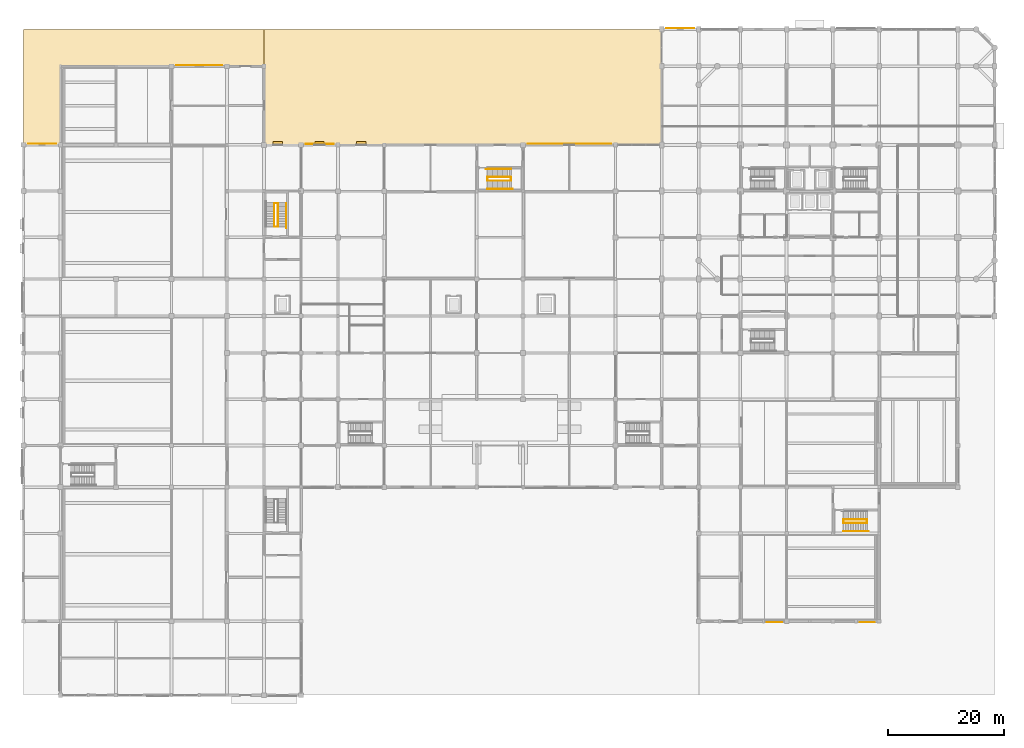
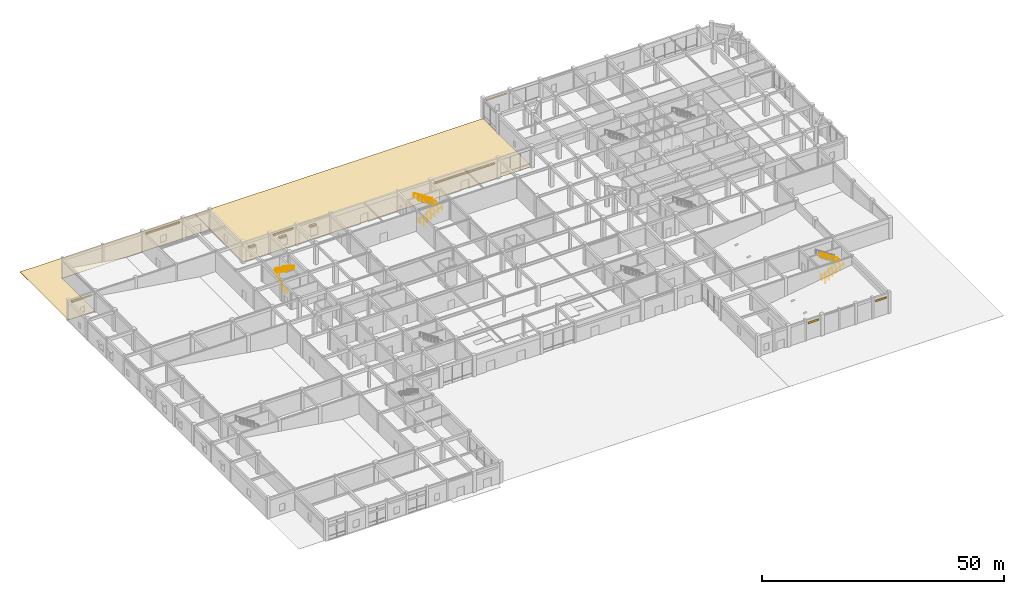
# One storey, part 38 of 40: 10 railings, 9 coverings, 3 shading devices.
"""IFC4 building model written with IfcOpenShell, lengths in metres."""

import ifcopenshell
import ifcopenshell.guid

model = None  # the IFC model being written
_history = None  # IfcOwnerHistory: only IFC2X3 demands one
_inside = {}  # id of a spatial element -> (the spatial element, [elements in it])
_under = {}  # id of a project, library or spatial element -> (it, [spatial elements below it])
_declared = {}  # id of a project -> (the project, [libraries it declares])
_typed = {}  # id of a type object -> (the type object, [elements of that type])
_made_of = {}  # id of a material, layer set ... -> (it, [elements and type objects made of it])


def new_model(schema):
    """Start an empty IFC model of exactly this schema.

    Asked for "IFC4X3", IfcOpenShell would pick the latest addendum, in which some entities
    have other attributes; the version numbers below select the first issue.
    IFC2X3 requires an IfcOwnerHistory on every rooted entity: one is made here for all.
    """
    global model, _history
    if schema == "IFC4X3":
        model = ifcopenshell.file(schema_version=(4, 3, 0, 0))
    else:
        model = ifcopenshell.file(schema=schema)
    _inside.clear()
    _under.clear()
    _declared.clear()
    _typed.clear()
    _made_of.clear()
    _history = None
    if model.schema == "IFC2X3":
        org = make("IfcOrganization", Name="unknown")
        user = make(
            "IfcPersonAndOrganization",
            ThePerson=make("IfcPerson", FamilyName="unknown"),
            TheOrganization=org,
        )
        app = make(
            "IfcApplication",
            ApplicationDeveloper=org,
            Version="unknown",
            ApplicationFullName="unknown",
            ApplicationIdentifier="unknown",
        )
        _history = make(
            "IfcOwnerHistory",
            OwningUser=user,
            OwningApplication=app,
            ChangeAction="ADDED",
            CreationDate=0,
        )
    return model


def make(cls, **values):
    """One entity of the class cls with the attributes given. An attribute that is None is left unset."""
    return model.create_entity(
        cls, **{name: value for name, value in values.items() if value is not None}
    )


def rooted(cls, **values):
    """An entity with a GlobalId (a new one), such as an element, a storey or a relation."""
    return make(cls, GlobalId=ifcopenshell.guid.new(), OwnerHistory=_history, **values)


def si_unit(unit_type, name, prefix=None):
    """IfcSIUnit, for example si_unit("LENGTHUNIT", "METRE", prefix="MILLI")."""
    return make("IfcSIUnit", UnitType=unit_type, Prefix=prefix, Name=name)


def assignment(units):
    """IfcUnitAssignment: the units of a project."""
    return None if units is None else make("IfcUnitAssignment", Units=units)


def point(xyz):
    """IfcCartesianPoint."""
    return None if xyz is None else make("IfcCartesianPoint", Coordinates=xyz)


def direction(xyz):
    """IfcDirection."""
    return None if xyz is None else make("IfcDirection", DirectionRatios=xyz)


def frame(location, z_axis=None, x_axis=None):
    """IfcAxis2Placement3D, a coordinate frame: its origin and axes. An axis left out is left unset."""
    return make(
        "IfcAxis2Placement3D",
        Location=point(location),
        Axis=direction(z_axis),
        RefDirection=direction(x_axis),
    )


def frame_2d(location, x_axis=None):
    """IfcAxis2Placement2D, a coordinate frame in the plane: its origin and x axis."""
    return make(
        "IfcAxis2Placement2D", Location=point(location), RefDirection=direction(x_axis)
    )


def origin():
    """The frame at (0, 0, 0) with its axes left unset."""
    return frame((0.0, 0.0, 0.0))


def origin_2d():
    """The frame at (0, 0) in the plane with its x axis left unset."""
    return frame_2d((0.0, 0.0))


def place(relative_to, where):
    """IfcLocalPlacement: puts the frame where relative to a parent placement (None: the world)."""
    return make(
        "IfcLocalPlacement", PlacementRelTo=relative_to, RelativePlacement=where
    )


def context(
    kind, dimensions, precision=None, world=None, true_north=None, identifier=None
):
    """IfcGeometricRepresentationContext, for example the 3D "Model" context."""
    return make(
        "IfcGeometricRepresentationContext",
        ContextIdentifier=identifier,
        ContextType=kind,
        CoordinateSpaceDimension=dimensions,
        Precision=precision,
        WorldCoordinateSystem=world,
        TrueNorth=true_north,
    )


def subcontext(parent, identifier, kind, view, scale=None):
    """IfcGeometricRepresentationSubContext, for example "Body" below "Model"."""
    return make(
        "IfcGeometricRepresentationSubContext",
        ContextIdentifier=identifier,
        ContextType=kind,
        ParentContext=parent,
        TargetScale=scale,
        TargetView=view,
    )


def project(units=None, contexts=None):
    """IfcProject with its units and contexts."""
    return rooted(
        "IfcProject",
        Name="project",
        RepresentationContexts=contexts,
        UnitsInContext=assignment(units),
    )


def spatial(cls, under=None, at=None, **own):
    """A site, building, storey or space (cls), placed at a placement, below another one or the project."""
    s = rooted(cls, ObjectPlacement=at, **own)
    if under is not None:
        _under.setdefault(under.id(), (under, []))[1].append(s)
    return s


def polyline(points):
    """IfcPolyline through the points."""
    return make("IfcPolyline", Points=[point(p) for p in points])


def profile(cls, at=None, kind="AREA", **sizes):
    """A parametric profile (cls). Its sizes go by their IFC names, for example OverallWidth=200.0."""
    return make(cls, ProfileType=kind, Position=at, **sizes)


def rectangle(**sizes):
    """IfcRectangleProfileDef."""
    return profile("IfcRectangleProfileDef", **sizes)


def circle(**sizes):
    """IfcCircleProfileDef."""
    return profile("IfcCircleProfileDef", **sizes)


def outline(outer, holes=None, kind="AREA"):
    """IfcArbitraryClosedProfileDef: a profile drawn as a closed curve; with holes, ...WithVoids."""
    if holes is None:
        return make("IfcArbitraryClosedProfileDef", ProfileType=kind, OuterCurve=outer)
    return make(
        "IfcArbitraryProfileDefWithVoids",
        ProfileType=kind,
        OuterCurve=outer,
        InnerCurves=holes,
    )


def extrude(swept, where, along, depth):
    """IfcExtrudedAreaSolid: the profile swept, set in the frame where, extruded along a direction by depth."""
    return make(
        "IfcExtrudedAreaSolid",
        SweptArea=swept,
        Position=where,
        ExtrudedDirection=direction(along),
        Depth=depth,
    )


def shape(context_of_items, identifier, shape_type, items):
    """IfcShapeRepresentation: the items that make up one representation, for example the "Body"."""
    return make(
        "IfcShapeRepresentation",
        ContextOfItems=context_of_items,
        RepresentationIdentifier=identifier,
        RepresentationType=shape_type,
        Items=items,
    )


def material(Name=None, Category=None):
    """IfcMaterial."""
    return make("IfcMaterial", Name=Name, Category=Category)


def layer(
    of_material, thickness, ventilated=None, Name=None, Category=None, Priority=None
):
    """IfcMaterialLayer: one layer of a wall or slab, of a material (None: an air gap)."""
    return make(
        "IfcMaterialLayer",
        Material=of_material,
        LayerThickness=thickness,
        IsVentilated=ventilated,
        Name=Name,
        Category=Category,
        Priority=Priority,
    )


def layer_set(layers, Name=None):
    """IfcMaterialLayerSet."""
    return make("IfcMaterialLayerSet", MaterialLayers=layers, LayerSetName=Name)


def made_of(thing, what):
    """Note that an element or type object is made of a material, layer set ...; save() writes the relation."""
    if what is not None:
        _made_of.setdefault(what.id(), (what, []))[1].append(thing)
    return thing


def type_object(cls, material=None, **own):
    """A type object (cls), such as IfcWallType, which elements share."""
    return made_of(rooted(cls, **own), material)


def element(
    cls,
    number,
    at=None,
    inside=None,
    cuts=None,
    type_object=None,
    material=None,
    context=None,
    identifier="Body",
    shape_type=None,
    held_by="IfcProductDefinitionShape",
    body=None,
    shapes=None,
    **own,
):
    """One element of the class cls, such as IfcWall. Its Tag is "e" and its number.

    at: its placement. inside: the storey or other place that contains it. cuts: it is an
    opening in that element (IfcRelVoidsElement). A single representation is given by context,
    identifier, shape_type and body (its items); several are given by shapes. held_by: the class
    of the entity that holds the representations. save() writes the other relations.
    """
    e = rooted(cls, Tag="e%d" % number, ObjectPlacement=at, **own)
    if body is not None:
        shapes = [shape(context, identifier, shape_type, body)]
    if shapes is not None:
        e.Representation = make(held_by, Representations=shapes)
    if inside is not None:
        _inside.setdefault(inside.id(), (inside, []))[1].append(e)
    if cuts is not None:
        rooted(
            "IfcRelVoidsElement", RelatingBuildingElement=cuts, RelatedOpeningElement=e
        )
    if type_object is not None:
        _typed.setdefault(type_object.id(), (type_object, []))[1].append(e)
    return made_of(e, material)


def aggregate(whole, parts):
    """IfcRelAggregates: a whole, such as a stair, and the parts it consists of."""
    return rooted("IfcRelAggregates", RelatingObject=whole, RelatedObjects=parts)


def save(model, path):
    """Write the relations noted so far, then the file.

    IfcRelAggregates (storeys below a building ...), IfcRelContainedInSpatialStructure (elements
    in a storey), IfcRelDefinesByType, IfcRelAssociatesMaterial and IfcRelDeclares: one each for
    every whole, place, type object, material and project.
    """
    for whole, parts in _under.values():
        aggregate(whole, parts)
    for where, things in _inside.values():
        rooted(
            "IfcRelContainedInSpatialStructure",
            RelatedElements=things,
            RelatingStructure=where,
        )
    for kind, things in _typed.values():
        rooted("IfcRelDefinesByType", RelatedObjects=things, RelatingType=kind)
    for what, things in _made_of.values():
        rooted("IfcRelAssociatesMaterial", RelatedObjects=things, RelatingMaterial=what)
    for by, libraries in _declared.values():
        rooted("IfcRelDeclares", RelatingContext=by, RelatedDefinitions=libraries)
    model.write(path)


model = new_model("IFC4")

# Units and contexts
model_context = context("Model", 3, precision=1e-05, world=origin(), true_north=direction((0.0, 1.0)))
body_context = subcontext(model_context, "Body", "Model", "MODEL_VIEW")
ifc_project = project(units=[si_unit("LENGTHUNIT", "METRE"), si_unit("AREAUNIT", "SQUARE_METRE"), si_unit("VOLUMEUNIT", "CUBIC_METRE"), si_unit("PLANEANGLEUNIT", "RADIAN"), si_unit("MASSUNIT", "GRAM", prefix="KILO")], contexts=[model_context])

# Site, building, storey
site_placement = place(None, origin())
site = spatial("IfcSite", under=ifc_project, at=site_placement, CompositionType="ELEMENT")
building_placement = place(site_placement, origin())
building = spatial("IfcBuilding", under=site, at=building_placement, Name="Vellmiral Cinema and Media Centre", CompositionType="ELEMENT")
storey_placement = place(building_placement, origin())
storey = spatial("IfcBuildingStorey", under=building, at=storey_placement, Name="L00", CompositionType="ELEMENT", Elevation=0.0)

# Coverings
ifc_material_1 = material(Name="Basel Rhine Sandstone Paving", Category="masonry")
ifc_layer_1 = layer(ifc_material_1, 0.06005859375, Name="Basel Rhine Sandstone Paving")
ifc_layer_set_1 = layer_set([ifc_layer_1], Name="Basel Rhine Sandstone Paving")
covering_type_1 = type_object("IfcCoveringType", Name="COV-PROM-PAVING", PredefinedType="USERDEFINED", material=ifc_layer_set_1)
covering_1_placement = place(storey_placement, frame((0.0, 0.0, -0.06005859375)))
element("IfcCovering", 1, at=covering_1_placement, inside=storey, type_object=covering_type_1, Name="Rhine Promenade and Courtyard Stone Paving NORTH-CLOISTER", ObjectType="PAVING", PredefinedType="USERDEFINED", context=body_context, shape_type="SweptSolid", body=[
    extrude(outline(polyline([(41.60009765625, 95.199951171875), (110.39990234375, 95.199951171875), (110.39990234375, 115.199951171875), (41.60009765625, 115.199951171875), (41.60009765625, 95.199951171875)])), origin(), (0.0, 0.0, 1.0), 0.06005859375),
])
covering_2_placement = place(storey_placement, frame((0.0, 0.0, -0.06005859375)))
element("IfcCovering", 2, at=covering_2_placement, inside=storey, type_object=covering_type_1, Name="Rhine Promenade and Courtyard Stone Paving NW-GARDEN", ObjectType="PAVING", PredefinedType="USERDEFINED", context=body_context, shape_type="SweptSolid", body=[
    extrude(outline(polyline([(0.0, 95.199951171875), (6.39990234375, 95.199951171875), (6.39990234375, 108.800048828125), (41.60009765625, 108.800048828125), (41.60009765625, 115.199951171875), (0.0, 115.199951171875), (0.0, 95.199951171875)])), origin(), (0.0, 0.0, 1.0), 0.06005859375),
])
ifc_material_2 = material(Name="Polychrome Trencadis Ceramic Mosaic")
ifc_layer_2 = layer(ifc_material_2, 0.034912109375, Name="Polychrome Trencadis Ceramic Mosaic")
ifc_layer_set_2 = layer_set([ifc_layer_2], Name="Polychrome Trencadis Ceramic Mosaic")
covering_type_2 = type_object("IfcCoveringType", Name="COV-TRENCADIS-CLAD", PredefinedType="CLADDING", material=ifc_layer_set_2)
covering_3_placement = place(storey_placement, frame((0.0, 0.0, 4.034912109375)))
element("IfcCovering", 3, at=covering_3_placement, inside=storey, type_object=covering_type_2, Name="Trencadis Spandrel Mosaic L00-024", PredefinedType="CLADDING", context=body_context, shape_type="SweptSolid", body=[
    extrude(outline(polyline([(128.60009765625, 12.6220703125), (131.199951171875, 12.6220703125), (131.199951171875, 12.656982421875), (128.60009765625, 12.656982421875), (128.60009765625, 12.6220703125)])), origin(), (0.0, 0.0, 1.0), 0.47998046875),
])
covering_4_placement = place(storey_placement, frame((0.0, 0.0, 3.955078125)))
element("IfcCovering", 4, at=covering_4_placement, inside=storey, type_object=covering_type_2, Name="Trencadis Spandrel Mosaic L00-028", PredefinedType="CLADDING", context=body_context, shape_type="SweptSolid", body=[
    extrude(outline(polyline([(144.64990234375, 12.592041015625), (147.27490234375, 12.592041015625), (147.27490234375, 12.626953125), (144.64990234375, 12.626953125), (144.64990234375, 12.592041015625)])), origin(), (0.0, 0.0, 1.0), 0.47998046875),
])
covering_5_placement = place(storey_placement, frame((0.0, 0.0, 3.9599609375)))
element("IfcCovering", 5, at=covering_5_placement, inside=storey, type_object=covering_type_2, Name="Trencadis Spandrel Mosaic L00-052", PredefinedType="CLADDING", context=body_context, shape_type="SweptSolid", body=[
    extrude(outline(polyline([(116.02490234375, 115.407958984375), (111.175048828125, 115.407958984375), (111.175048828125, 115.373046875), (116.02490234375, 115.373046875), (116.02490234375, 115.407958984375)])), origin(), (0.0, 0.0, 1.0), 0.47998046875),
])
covering_6_placement = place(storey_placement, frame((0.0, 0.0, 3.544921875)))
element("IfcCovering", 6, at=covering_6_placement, inside=storey, type_object=covering_type_2, Name="Trencadis Spandrel Mosaic L00-056", PredefinedType="CLADDING", context=body_context, shape_type="SweptSolid", body=[
    extrude(outline(polyline([(101.625, 95.407958984375), (87.22509765625, 95.407958984375), (87.22509765625, 95.373046875), (101.625, 95.373046875), (101.625, 95.407958984375)])), origin(), (0.0, 0.0, 1.0), 0.47998046875),
])
covering_7_placement = place(storey_placement, frame((0.0, 0.0, 3.9599609375)))
element("IfcCovering", 7, at=covering_7_placement, inside=storey, type_object=covering_type_2, Name="Trencadis Spandrel Mosaic L00-060", PredefinedType="CLADDING", context=body_context, shape_type="SweptSolid", body=[
    extrude(outline(polyline([(53.625, 95.3779296875), (48.800048828125, 95.3779296875), (48.800048828125, 95.343017578125), (53.625, 95.343017578125), (53.625, 95.3779296875)])), origin(), (0.0, 0.0, 1.0), 0.47998046875),
])
covering_8_placement = place(storey_placement, frame((0.0, 0.0, 3.9599609375)))
element("IfcCovering", 8, at=covering_8_placement, inside=storey, type_object=covering_type_2, Name="Trencadis Spandrel Mosaic L00-064", PredefinedType="CLADDING", context=body_context, shape_type="SweptSolid", body=[
    extrude(outline(polyline([(34.39990234375, 109.008056640625), (26.425048828125, 109.008056640625), (26.425048828125, 108.972900390625), (34.39990234375, 108.972900390625), (34.39990234375, 109.008056640625)])), origin(), (0.0, 0.0, 1.0), 0.47998046875),
])
covering_9_placement = place(storey_placement, frame((0.0, 0.0, 3.9599609375)))
element("IfcCovering", 9, at=covering_9_placement, inside=storey, type_object=covering_type_2, Name="Trencadis Spandrel Mosaic L00-068", PredefinedType="CLADDING", context=body_context, shape_type="SweptSolid", body=[
    extrude(outline(polyline([(5.625, 95.407958984375), (0.800048828125, 95.407958984375), (0.800048828125, 95.373046875), (5.625, 95.373046875), (5.625, 95.407958984375)])), origin(), (0.0, 0.0, 1.0), 0.47998046875),
])

# Railings
ifc_material_3 = material(Name="Brushed Stainless Steel Handrail", Category="steel")
railing_type_1 = type_object("IfcRailingType", Name="RL-HANDRAIL-900", PredefinedType="HANDRAIL", material=ifc_material_3)
railing_1_placement = place(storey_placement, frame((45.43994140625, 85.110107421875, 2.8798828125)))
element("IfcRailing", 10, at=railing_1_placement, inside=storey, type_object=railing_type_1, Name="Stair Wall Handrail ST-P2 L00-2", PredefinedType="HANDRAIL", context=body_context, shape_type="SweptSolid", body=[
    extrude(circle(Radius=0.02392578125, at=origin_2d()), frame((0.0, 0.0, 0.8759765625), z_axis=(0.0, -0.849628378081, 0.527381853271), x_axis=(1.0, 0.0, 0.0)), (0.0, 0.0, 1.0), 5.1201171875),
    extrude(circle(Radius=0.02099609375, at=origin_2d()), origin(), (0.0, 0.0, 1.0), 0.851806640625),
    extrude(circle(Radius=0.02099609375, at=origin_2d()), frame((0.0, -0.8701171875, 0.5400390625)), (0.0, 0.0, 1.0), 0.851806640625),
    extrude(circle(Radius=0.02099609375, at=origin_2d()), frame((0.0, -1.739990234375, 1.080078125)), (0.0, 0.0, 1.0), 0.851806640625),
    extrude(circle(Radius=0.02099609375, at=origin_2d()), frame((0.0, -2.610107421875, 1.6201171875)), (0.0, 0.0, 1.0), 0.851806640625),
    extrude(circle(Radius=0.02099609375, at=origin_2d()), frame((0.0, -3.47998046875, 2.16015625)), (0.0, 0.0, 1.0), 0.851806640625),
    extrude(circle(Radius=0.02099609375, at=origin_2d()), frame((0.0, -4.35009765625, 2.7001953125)), (0.0, 0.0, 1.0), 0.851806640625),
])
railing_2_placement = place(storey_placement, frame((80.25, 87.56005859375, 0.179931640625)))
element("IfcRailing", 11, at=railing_2_placement, inside=storey, type_object=railing_type_1, Name="Stair Wall Handrail ST-P5 L00-1", PredefinedType="HANDRAIL", context=body_context, shape_type="SweptSolid", body=[
    extrude(circle(Radius=0.02392578125, at=origin_2d()), frame((0.0, 0.0, 0.8759765625), z_axis=(0.849649743971, 0.0, 0.527347430608), x_axis=(0.0, 1.0, 0.0)), (0.0, 0.0, 1.0), 5.119873046875),
    extrude(circle(Radius=0.02099609375, at=origin_2d()), origin(), (0.0, 0.0, 1.0), 0.851806640625),
    extrude(circle(Radius=0.02099609375, at=origin_2d()), frame((0.8701171875, 0.0, 0.5400390625)), (0.0, 0.0, 1.0), 0.851806640625),
    extrude(circle(Radius=0.02099609375, at=origin_2d()), frame((1.739990234375, 0.0, 1.080078125)), (0.0, 0.0, 1.0), 0.851806640625),
    extrude(circle(Radius=0.02099609375, at=origin_2d()), frame((2.610107421875, 0.0, 1.619873046875)), (0.0, 0.0, 1.0), 0.851806640625),
    extrude(circle(Radius=0.02099609375, at=origin_2d()), frame((3.47998046875, 0.0, 2.159912109375)), (0.0, 0.0, 1.0), 0.851806640625),
    extrude(circle(Radius=0.02099609375, at=origin_2d()), frame((4.35009765625, 0.0, 2.699951171875)), (0.0, 0.0, 1.0), 0.851806640625),
])
railing_3_placement = place(storey_placement, frame((84.31005859375, 91.0400390625, 2.8798828125)))
element("IfcRailing", 12, at=railing_3_placement, inside=storey, type_object=railing_type_1, Name="Stair Wall Handrail ST-P5 L00-2", PredefinedType="HANDRAIL", context=body_context, shape_type="SweptSolid", body=[
    extrude(circle(Radius=0.02392578125, at=origin_2d()), frame((0.0, 0.0, 0.8759765625), z_axis=(-0.849628378081, 0.0, 0.527381853271), x_axis=(0.0, -1.0, 0.0)), (0.0, 0.0, 1.0), 5.1201171875),
    extrude(circle(Radius=0.02099609375, at=origin_2d()), origin(), (0.0, 0.0, 1.0), 0.851806640625),
    extrude(circle(Radius=0.02099609375, at=origin_2d()), frame((-0.8701171875, 0.0, 0.5400390625)), (0.0, 0.0, 1.0), 0.851806640625),
    extrude(circle(Radius=0.02099609375, at=origin_2d()), frame((-1.739990234375, 0.0, 1.080078125)), (0.0, 0.0, 1.0), 0.851806640625),
    extrude(circle(Radius=0.02099609375, at=origin_2d()), frame((-2.610107421875, 0.0, 1.6201171875)), (0.0, 0.0, 1.0), 0.851806640625),
    extrude(circle(Radius=0.02099609375, at=origin_2d()), frame((-3.47998046875, 0.0, 2.16015625)), (0.0, 0.0, 1.0), 0.851806640625),
    extrude(circle(Radius=0.02099609375, at=origin_2d()), frame((-4.35009765625, 0.0, 2.7001953125)), (0.0, 0.0, 1.0), 0.851806640625),
])
railing_4_placement = place(storey_placement, frame((141.85009765625, 28.360107421875, 0.179931640625)))
element("IfcRailing", 13, at=railing_4_placement, inside=storey, type_object=railing_type_1, Name="Stair Wall Handrail ST-P8 L00-1", PredefinedType="HANDRAIL", context=body_context, shape_type="SweptSolid", body=[
    extrude(circle(Radius=0.02392578125, at=origin_2d()), frame((0.0, 0.0, 0.8759765625), z_axis=(0.849636482215, 0.0, 0.527368797038), x_axis=(0.0, 1.0, 0.0)), (0.0, 0.0, 1.0), 5.11962890625),
    extrude(circle(Radius=0.02099609375, at=origin_2d()), origin(), (0.0, 0.0, 1.0), 0.851806640625),
    extrude(circle(Radius=0.02099609375, at=origin_2d()), frame((0.869873046875, 0.0, 0.5400390625)), (0.0, 0.0, 1.0), 0.851806640625),
    extrude(circle(Radius=0.02099609375, at=origin_2d()), frame((1.739990234375, 0.0, 1.080078125)), (0.0, 0.0, 1.0), 0.851806640625),
    extrude(circle(Radius=0.02099609375, at=origin_2d()), frame((2.60986328125, 0.0, 1.619873046875)), (0.0, 0.0, 1.0), 0.851806640625),
    extrude(circle(Radius=0.02099609375, at=origin_2d()), frame((3.47998046875, 0.0, 2.159912109375)), (0.0, 0.0, 1.0), 0.851806640625),
    extrude(circle(Radius=0.02099609375, at=origin_2d()), frame((4.349853515625, 0.0, 2.699951171875)), (0.0, 0.0, 1.0), 0.851806640625),
])
ifc_material_4 = material(Name="Painted Steel Stair Guardrail", Category="steel")
railing_type_2 = type_object("IfcRailingType", Name="RL-STAIR-GUARD-1120", PredefinedType="GUARDRAIL", material=ifc_material_4)
railing_5_placement = place(storey_placement, frame((43.97998046875, 81.050048828125, 0.0)))
element("IfcRailing", 14, at=railing_5_placement, inside=storey, type_object=railing_type_2, Name="Stair Well Guard ST-P2 L00-A", PredefinedType="GUARDRAIL", context=body_context, shape_type="SweptSolid", body=[
    extrude(circle(Radius=0.02392578125, at=origin_2d()), frame((0.0, 0.0, 1.09619140625), z_axis=(-1.0, 0.0, 0.0), x_axis=(0.0, -1.0, 0.0)), (0.0, 0.0, 1.0), 0.60009765625),
    extrude(circle(Radius=0.02392578125, at=origin_2d()), frame((-0.60009765625, 0.0, 1.09619140625), z_axis=(0.0, 0.8326891162, 0.553740765848), x_axis=(-1.0, 0.0, 0.0)), (0.0, 0.0, 1.0), 4.875732421875),
    extrude(circle(Radius=0.02392578125, at=origin_2d()), frame((-0.60009765625, 4.06005859375, 3.7958984375), z_axis=(1.0, 0.0, 0.0), x_axis=(0.0, 1.0, 0.0)), (0.0, 0.0, 1.0), 0.64013671875),
    extrude(circle(Radius=0.02099609375, at=origin_2d()), origin(), (0.0, 0.0, 1.0), 1.072021484375),
    extrude(circle(Radius=0.02099609375, at=origin_2d()), frame((-0.60009765625, 0.0, 0.0)), (0.0, 0.0, 1.0), 1.072021484375),
    extrude(circle(Radius=0.02099609375, at=origin_2d()), frame((-0.60009765625, 0.81201171875, 0.5400390625)), (0.0, 0.0, 1.0), 1.072021484375),
    extrude(circle(Radius=0.02099609375, at=origin_2d()), frame((-0.60009765625, 1.6240234375, 1.080078125)), (0.0, 0.0, 1.0), 1.072021484375),
    extrude(circle(Radius=0.02099609375, at=origin_2d()), frame((-0.60009765625, 2.43603515625, 1.619873046875)), (0.0, 0.0, 1.0), 1.072021484375),
    extrude(circle(Radius=0.02099609375, at=origin_2d()), frame((-0.60009765625, 3.248046875, 2.159912109375)), (0.0, 0.0, 1.0), 1.072021484375),
    extrude(circle(Radius=0.02099609375, at=origin_2d()), frame((-0.60009765625, 4.06005859375, 2.699951171875)), (0.0, 0.0, 1.0), 1.072021484375),
    extrude(circle(Radius=0.02099609375, at=origin_2d()), frame((0.0400390625, 4.06005859375, 2.699951171875)), (0.0, 0.0, 1.0), 1.072021484375),
])
railing_6_placement = place(storey_placement, frame((44.02001953125, 85.110107421875, 2.699951171875)))
element("IfcRailing", 15, at=railing_6_placement, inside=storey, type_object=railing_type_2, Name="Stair Well Guard ST-P2 L00-B", PredefinedType="GUARDRAIL", context=body_context, shape_type="SweptSolid", body=[
    extrude(circle(Radius=0.02392578125, at=origin_2d()), frame((0.0, 0.0, 1.09619140625), z_axis=(0.0, -0.8326891162, 0.553740765848), x_axis=(1.0, 0.0, 0.0)), (0.0, 0.0, 1.0), 4.875732421875),
    extrude(circle(Radius=0.02099609375, at=origin_2d()), origin(), (0.0, 0.0, 1.0), 1.072021484375),
    extrude(circle(Radius=0.02099609375, at=origin_2d()), frame((0.0, -0.81201171875, 0.5400390625)), (0.0, 0.0, 1.0), 1.072021484375),
    extrude(circle(Radius=0.02099609375, at=origin_2d()), frame((0.0, -1.6240234375, 1.080078125)), (0.0, 0.0, 1.0), 1.072021484375),
    extrude(circle(Radius=0.02099609375, at=origin_2d()), frame((0.0, -2.43603515625, 1.619873046875)), (0.0, 0.0, 1.0), 1.072021484375),
    extrude(circle(Radius=0.02099609375, at=origin_2d()), frame((0.0, -3.248046875, 2.159912109375)), (0.0, 0.0, 1.0), 1.072021484375),
    extrude(circle(Radius=0.02099609375, at=origin_2d()), frame((0.0, -4.06005859375, 2.699951171875)), (0.0, 0.0, 1.0), 1.072021484375),
])
railing_7_placement = place(storey_placement, frame((80.25, 89.580078125, 0.0)))
element("IfcRailing", 16, at=railing_7_placement, inside=storey, type_object=railing_type_2, Name="Stair Well Guard ST-P5 L00-A", PredefinedType="GUARDRAIL", context=body_context, shape_type="SweptSolid", body=[
    extrude(circle(Radius=0.02392578125, at=origin_2d()), frame((0.0, 0.0, 1.09619140625), z_axis=(0.0, -1.0, 0.0), x_axis=(1.0, 0.0, 0.0)), (0.0, 0.0, 1.0), 0.60009765625),
    extrude(circle(Radius=0.02392578125, at=origin_2d()), frame((0.0, -0.60009765625, 1.09619140625), z_axis=(0.8326891162, 0.0, 0.553740765848), x_axis=(0.0, 1.0, 0.0)), (0.0, 0.0, 1.0), 4.875732421875),
    extrude(circle(Radius=0.02392578125, at=origin_2d()), frame((4.06005859375, -0.60009765625, 3.7958984375), z_axis=(0.0, 1.0, 0.0), x_axis=(-1.0, 0.0, 0.0)), (0.0, 0.0, 1.0), 0.64013671875),
    extrude(circle(Radius=0.02099609375, at=origin_2d()), origin(), (0.0, 0.0, 1.0), 1.072021484375),
    extrude(circle(Radius=0.02099609375, at=origin_2d()), frame((0.0, -0.60009765625, 0.0)), (0.0, 0.0, 1.0), 1.072021484375),
    extrude(circle(Radius=0.02099609375, at=origin_2d()), frame((0.81201171875, -0.60009765625, 0.5400390625)), (0.0, 0.0, 1.0), 1.072021484375),
    extrude(circle(Radius=0.02099609375, at=origin_2d()), frame((1.6240234375, -0.60009765625, 1.080078125)), (0.0, 0.0, 1.0), 1.072021484375),
    extrude(circle(Radius=0.02099609375, at=origin_2d()), frame((2.43603515625, -0.60009765625, 1.619873046875)), (0.0, 0.0, 1.0), 1.072021484375),
    extrude(circle(Radius=0.02099609375, at=origin_2d()), frame((3.248046875, -0.60009765625, 2.159912109375)), (0.0, 0.0, 1.0), 1.072021484375),
    extrude(circle(Radius=0.02099609375, at=origin_2d()), frame((4.06005859375, -0.60009765625, 2.699951171875)), (0.0, 0.0, 1.0), 1.072021484375),
    extrude(circle(Radius=0.02099609375, at=origin_2d()), frame((4.06005859375, 0.0400390625, 2.699951171875)), (0.0, 0.0, 1.0), 1.072021484375),
])
railing_8_placement = place(storey_placement, frame((84.31005859375, 89.6201171875, 2.699951171875)))
element("IfcRailing", 17, at=railing_8_placement, inside=storey, type_object=railing_type_2, Name="Stair Well Guard ST-P5 L00-B", PredefinedType="GUARDRAIL", context=body_context, shape_type="SweptSolid", body=[
    extrude(circle(Radius=0.02392578125, at=origin_2d()), frame((0.0, 0.0, 1.09619140625), z_axis=(-0.8326891162, 0.0, 0.553740765848), x_axis=(0.0, -1.0, 0.0)), (0.0, 0.0, 1.0), 4.875732421875),
    extrude(circle(Radius=0.02099609375, at=origin_2d()), origin(), (0.0, 0.0, 1.0), 1.072021484375),
    extrude(circle(Radius=0.02099609375, at=origin_2d()), frame((-0.81201171875, 0.0, 0.5400390625)), (0.0, 0.0, 1.0), 1.072021484375),
    extrude(circle(Radius=0.02099609375, at=origin_2d()), frame((-1.6240234375, 0.0, 1.080078125)), (0.0, 0.0, 1.0), 1.072021484375),
    extrude(circle(Radius=0.02099609375, at=origin_2d()), frame((-2.43603515625, 0.0, 1.619873046875)), (0.0, 0.0, 1.0), 1.072021484375),
    extrude(circle(Radius=0.02099609375, at=origin_2d()), frame((-3.248046875, 0.0, 2.159912109375)), (0.0, 0.0, 1.0), 1.072021484375),
    extrude(circle(Radius=0.02099609375, at=origin_2d()), frame((-4.06005859375, 0.0, 2.699951171875)), (0.0, 0.0, 1.0), 1.072021484375),
])
railing_9_placement = place(storey_placement, frame((141.85009765625, 30.3798828125, 0.0)))
element("IfcRailing", 18, at=railing_9_placement, inside=storey, type_object=railing_type_2, Name="Stair Well Guard ST-P8 L00-A", PredefinedType="GUARDRAIL", context=body_context, shape_type="SweptSolid", body=[
    extrude(circle(Radius=0.02392578125, at=origin_2d()), frame((0.0, 0.0, 1.09619140625), z_axis=(0.0, -1.0, 0.0), x_axis=(1.0, 0.0, 0.0)), (0.0, 0.0, 1.0), 0.599853515625),
    extrude(circle(Radius=0.02392578125, at=origin_2d()), frame((0.0, -0.599853515625, 1.09619140625), z_axis=(0.832673761873, 0.0, 0.553763854264), x_axis=(0.0, 1.0, 0.0)), (0.0, 0.0, 1.0), 4.875732421875),
    extrude(circle(Radius=0.02392578125, at=origin_2d()), frame((4.059814453125, -0.599853515625, 3.7958984375), z_axis=(0.0, 1.0, 0.0), x_axis=(-1.0, 0.0, 0.0)), (0.0, 0.0, 1.0), 0.639892578125),
    extrude(circle(Radius=0.02099609375, at=origin_2d()), origin(), (0.0, 0.0, 1.0), 1.072021484375),
    extrude(circle(Radius=0.02099609375, at=origin_2d()), frame((0.0, -0.599853515625, 0.0)), (0.0, 0.0, 1.0), 1.072021484375),
    extrude(circle(Radius=0.02099609375, at=origin_2d()), frame((0.81201171875, -0.599853515625, 0.5400390625)), (0.0, 0.0, 1.0), 1.072021484375),
    extrude(circle(Radius=0.02099609375, at=origin_2d()), frame((1.6240234375, -0.599853515625, 1.080078125)), (0.0, 0.0, 1.0), 1.072021484375),
    extrude(circle(Radius=0.02099609375, at=origin_2d()), frame((2.435791015625, -0.599853515625, 1.619873046875)), (0.0, 0.0, 1.0), 1.072021484375),
    extrude(circle(Radius=0.02099609375, at=origin_2d()), frame((3.247802734375, -0.599853515625, 2.159912109375)), (0.0, 0.0, 1.0), 1.072021484375),
    extrude(circle(Radius=0.02099609375, at=origin_2d()), frame((4.059814453125, -0.599853515625, 2.699951171875)), (0.0, 0.0, 1.0), 1.072021484375),
    extrude(circle(Radius=0.02099609375, at=origin_2d()), frame((4.059814453125, 0.0400390625, 2.699951171875)), (0.0, 0.0, 1.0), 1.072021484375),
])
railing_10_placement = place(storey_placement, frame((145.909912109375, 30.419921875, 2.699951171875)))
element("IfcRailing", 19, at=railing_10_placement, inside=storey, type_object=railing_type_2, Name="Stair Well Guard ST-P8 L00-B", PredefinedType="GUARDRAIL", context=body_context, shape_type="SweptSolid", body=[
    extrude(circle(Radius=0.02392578125, at=origin_2d()), frame((0.0, 0.0, 1.09619140625), z_axis=(-0.832673761873, 0.0, 0.553763854264), x_axis=(0.0, -1.0, 0.0)), (0.0, 0.0, 1.0), 4.875732421875),
    extrude(circle(Radius=0.02099609375, at=origin_2d()), origin(), (0.0, 0.0, 1.0), 1.072021484375),
    extrude(circle(Radius=0.02099609375, at=origin_2d()), frame((-0.81201171875, 0.0, 0.5400390625)), (0.0, 0.0, 1.0), 1.072021484375),
    extrude(circle(Radius=0.02099609375, at=origin_2d()), frame((-1.6240234375, 0.0, 1.080078125)), (0.0, 0.0, 1.0), 1.072021484375),
    extrude(circle(Radius=0.02099609375, at=origin_2d()), frame((-2.435791015625, 0.0, 1.619873046875)), (0.0, 0.0, 1.0), 1.072021484375),
    extrude(circle(Radius=0.02099609375, at=origin_2d()), frame((-3.247802734375, 0.0, 2.159912109375)), (0.0, 0.0, 1.0), 1.072021484375),
    extrude(circle(Radius=0.02099609375, at=origin_2d()), frame((-4.059814453125, 0.0, 2.699951171875)), (0.0, 0.0, 1.0), 1.072021484375),
])

# Shading devices
ifc_material_5 = material(Name="Glazed Polychrome Ceramic Louvre Blade", Category="ceramic")
shading_device_type = type_object("IfcShadingDeviceType", Name="SHD-CERAMIC-JALOUSIE", PredefinedType="JALOUSIE", material=ifc_material_5)
for number, where, z_axis, x_axis, name in (
    (20, (58.425048828125, 95.60009765625, 3.0), (0.0, 0.0, 1.0), (-1.0, 0.0, 0.0), "Ceramic Sun-Shading Louvre L00-02"),
    (21, (51.21240234375, 95.570068359375, 2.75), (0.0, 0.0, 1.0), (-1.0, 0.0, 0.0), "Ceramic Sun-Shading Louvre L00-03"),
    (22, (43.96240234375, 95.60009765625, 2.85009765625), (0.0, 0.0, 1.0), (-1.0, 0.0, 0.0), "Ceramic Sun-Shading Louvre L00-04"),
):
    element("IfcShadingDevice", number, at=place(storey_placement, frame(where, z_axis=z_axis, x_axis=x_axis)), inside=storey, type_object=shading_device_type, Name=name, PredefinedType="JALOUSIE", context=body_context, shape_type="SweptSolid", body=[
        extrude(rectangle(XDim=1.60009765625, YDim=0.419921875, at=origin_2d()), origin(), (0.0, 0.0, 1.0), 0.280029296875),
    ])

save(model, "model.ifc")
